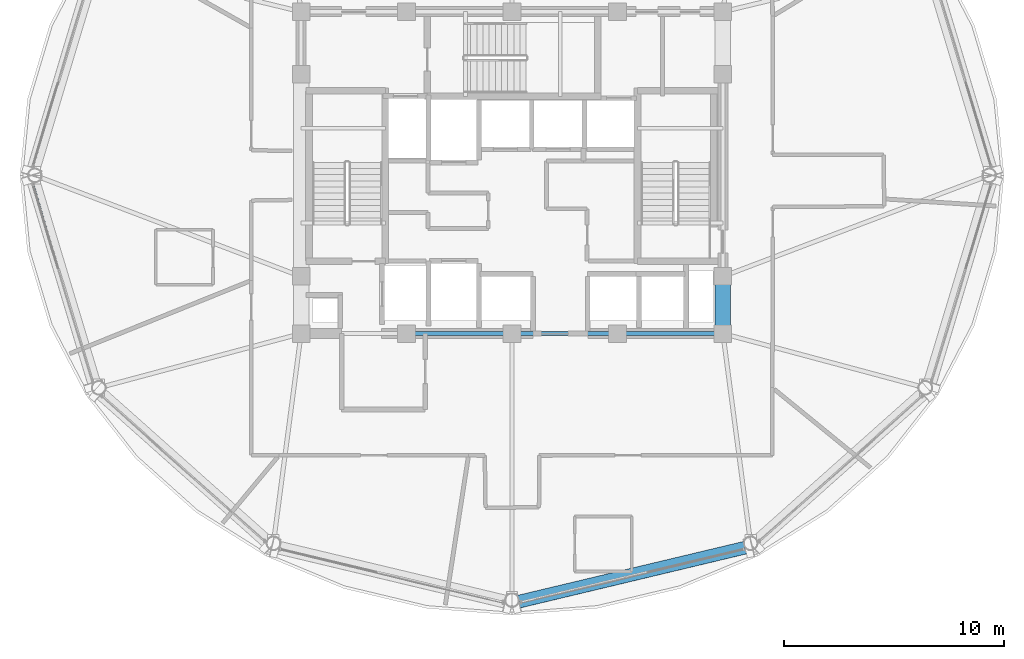
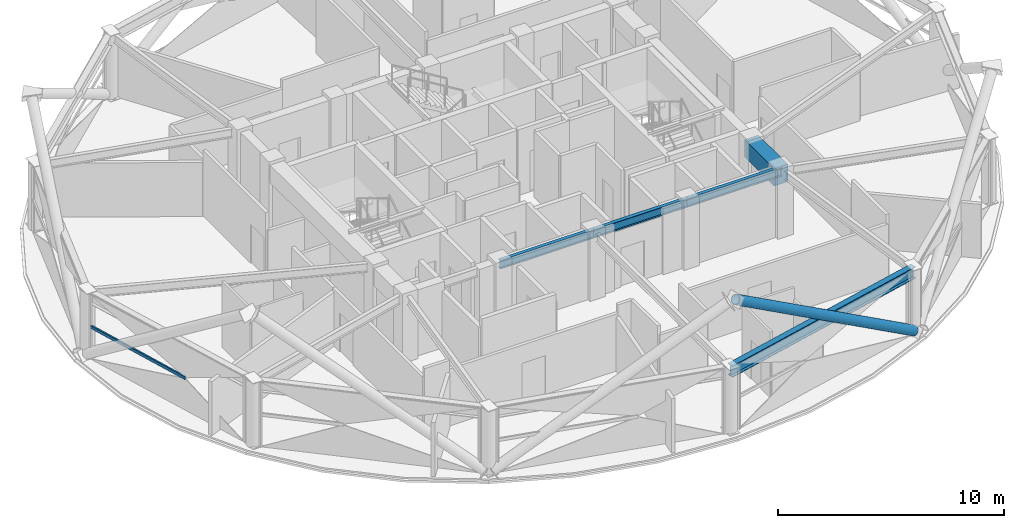
# One storey, part 6 of 28: 5 beams, 2 members, 1 element without a shape of its own.
"""IFC4 building model written with IfcOpenShell, lengths in metres."""

import ifcopenshell
import ifcopenshell.guid

model = None  # the IFC model being written
_history = None  # IfcOwnerHistory: only IFC2X3 demands one
_inside = {}  # id of a spatial element -> (the spatial element, [elements in it])
_under = {}  # id of a project, library or spatial element -> (it, [spatial elements below it])
_declared = {}  # id of a project -> (the project, [libraries it declares])
_typed = {}  # id of a type object -> (the type object, [elements of that type])
_made_of = {}  # id of a material, layer set ... -> (it, [elements and type objects made of it])


def new_model(schema):
    """Start an empty IFC model of exactly this schema.

    Asked for "IFC4X3", IfcOpenShell would pick the latest addendum, in which some entities
    have other attributes; the version numbers below select the first issue.
    IFC2X3 requires an IfcOwnerHistory on every rooted entity: one is made here for all.
    """
    global model, _history
    if schema == "IFC4X3":
        model = ifcopenshell.file(schema_version=(4, 3, 0, 0))
    else:
        model = ifcopenshell.file(schema=schema)
    _inside.clear()
    _under.clear()
    _declared.clear()
    _typed.clear()
    _made_of.clear()
    _history = None
    if model.schema == "IFC2X3":
        org = make("IfcOrganization", Name="unknown")
        user = make(
            "IfcPersonAndOrganization",
            ThePerson=make("IfcPerson", FamilyName="unknown"),
            TheOrganization=org,
        )
        app = make(
            "IfcApplication",
            ApplicationDeveloper=org,
            Version="unknown",
            ApplicationFullName="unknown",
            ApplicationIdentifier="unknown",
        )
        _history = make(
            "IfcOwnerHistory",
            OwningUser=user,
            OwningApplication=app,
            ChangeAction="ADDED",
            CreationDate=0,
        )
    return model


def make(cls, **values):
    """One entity of the class cls with the attributes given. An attribute that is None is left unset."""
    return model.create_entity(
        cls, **{name: value for name, value in values.items() if value is not None}
    )


def rooted(cls, **values):
    """An entity with a GlobalId (a new one), such as an element, a storey or a relation."""
    return make(cls, GlobalId=ifcopenshell.guid.new(), OwnerHistory=_history, **values)


def si_unit(unit_type, name, prefix=None):
    """IfcSIUnit, for example si_unit("LENGTHUNIT", "METRE", prefix="MILLI")."""
    return make("IfcSIUnit", UnitType=unit_type, Prefix=prefix, Name=name)


def assignment(units):
    """IfcUnitAssignment: the units of a project."""
    return None if units is None else make("IfcUnitAssignment", Units=units)


def point(xyz):
    """IfcCartesianPoint."""
    return None if xyz is None else make("IfcCartesianPoint", Coordinates=xyz)


def direction(xyz):
    """IfcDirection."""
    return None if xyz is None else make("IfcDirection", DirectionRatios=xyz)


def frame(location, z_axis=None, x_axis=None):
    """IfcAxis2Placement3D, a coordinate frame: its origin and axes. An axis left out is left unset."""
    return make(
        "IfcAxis2Placement3D",
        Location=point(location),
        Axis=direction(z_axis),
        RefDirection=direction(x_axis),
    )


def frame_2d(location, x_axis=None):
    """IfcAxis2Placement2D, a coordinate frame in the plane: its origin and x axis."""
    return make(
        "IfcAxis2Placement2D", Location=point(location), RefDirection=direction(x_axis)
    )


def origin():
    """The frame at (0, 0, 0) with its axes left unset."""
    return frame((0.0, 0.0, 0.0))


def origin_2d():
    """The frame at (0, 0) in the plane with its x axis left unset."""
    return frame_2d((0.0, 0.0))


def place(relative_to, where):
    """IfcLocalPlacement: puts the frame where relative to a parent placement (None: the world)."""
    return make(
        "IfcLocalPlacement", PlacementRelTo=relative_to, RelativePlacement=where
    )


def context(
    kind, dimensions, precision=None, world=None, true_north=None, identifier=None
):
    """IfcGeometricRepresentationContext, for example the 3D "Model" context."""
    return make(
        "IfcGeometricRepresentationContext",
        ContextIdentifier=identifier,
        ContextType=kind,
        CoordinateSpaceDimension=dimensions,
        Precision=precision,
        WorldCoordinateSystem=world,
        TrueNorth=true_north,
    )


def subcontext(parent, identifier, kind, view, scale=None):
    """IfcGeometricRepresentationSubContext, for example "Body" below "Model"."""
    return make(
        "IfcGeometricRepresentationSubContext",
        ContextIdentifier=identifier,
        ContextType=kind,
        ParentContext=parent,
        TargetScale=scale,
        TargetView=view,
    )


def project(units=None, contexts=None):
    """IfcProject with its units and contexts."""
    return rooted(
        "IfcProject",
        Name="project",
        RepresentationContexts=contexts,
        UnitsInContext=assignment(units),
    )


def spatial(cls, under=None, at=None, **own):
    """A site, building, storey or space (cls), placed at a placement, below another one or the project."""
    s = rooted(cls, ObjectPlacement=at, **own)
    if under is not None:
        _under.setdefault(under.id(), (under, []))[1].append(s)
    return s


def profile(cls, at=None, kind="AREA", **sizes):
    """A parametric profile (cls). Its sizes go by their IFC names, for example OverallWidth=200.0."""
    return make(cls, ProfileType=kind, Position=at, **sizes)


def rectangle(**sizes):
    """IfcRectangleProfileDef."""
    return profile("IfcRectangleProfileDef", **sizes)


def hollow_rectangle(**sizes):
    """IfcRectangleHollowProfileDef."""
    return profile("IfcRectangleHollowProfileDef", **sizes)


def hollow_circle(**sizes):
    """IfcCircleHollowProfileDef."""
    return profile("IfcCircleHollowProfileDef", **sizes)


def i_section(**sizes):
    """IfcIShapeProfileDef."""
    return profile("IfcIShapeProfileDef", **sizes)


def extrude(swept, where, along, depth):
    """IfcExtrudedAreaSolid: the profile swept, set in the frame where, extruded along a direction by depth."""
    return make(
        "IfcExtrudedAreaSolid",
        SweptArea=swept,
        Position=where,
        ExtrudedDirection=direction(along),
        Depth=depth,
    )


def shape(context_of_items, identifier, shape_type, items):
    """IfcShapeRepresentation: the items that make up one representation, for example the "Body"."""
    return make(
        "IfcShapeRepresentation",
        ContextOfItems=context_of_items,
        RepresentationIdentifier=identifier,
        RepresentationType=shape_type,
        Items=items,
    )


def material(Name=None, Category=None):
    """IfcMaterial."""
    return make("IfcMaterial", Name=Name, Category=Category)


def layer(
    of_material, thickness, ventilated=None, Name=None, Category=None, Priority=None
):
    """IfcMaterialLayer: one layer of a wall or slab, of a material (None: an air gap)."""
    return make(
        "IfcMaterialLayer",
        Material=of_material,
        LayerThickness=thickness,
        IsVentilated=ventilated,
        Name=Name,
        Category=Category,
        Priority=Priority,
    )


def layer_set(layers, Name=None):
    """IfcMaterialLayerSet."""
    return make("IfcMaterialLayerSet", MaterialLayers=layers, LayerSetName=Name)


def material_profile(
    of_material, cross_section, Name=None, Category=None, Priority=None
):
    """IfcMaterialProfile: a cross section and its material."""
    return make(
        "IfcMaterialProfile",
        Name=Name,
        Material=of_material,
        Profile=cross_section,
        Priority=Priority,
        Category=Category,
    )


def profile_set(profiles, Name=None, composite=None):
    """IfcMaterialProfileSet."""
    return make(
        "IfcMaterialProfileSet",
        Name=Name,
        MaterialProfiles=profiles,
        CompositeProfile=composite,
    )


def made_of(thing, what):
    """Note that an element or type object is made of a material, layer set ...; save() writes the relation."""
    if what is not None:
        _made_of.setdefault(what.id(), (what, []))[1].append(thing)
    return thing


def type_object(cls, material=None, **own):
    """A type object (cls), such as IfcWallType, which elements share."""
    return made_of(rooted(cls, **own), material)


def element(
    cls,
    number,
    at=None,
    inside=None,
    cuts=None,
    type_object=None,
    material=None,
    context=None,
    identifier="Body",
    shape_type=None,
    held_by="IfcProductDefinitionShape",
    body=None,
    shapes=None,
    **own,
):
    """One element of the class cls, such as IfcWall. Its Tag is "e" and its number.

    at: its placement. inside: the storey or other place that contains it. cuts: it is an
    opening in that element (IfcRelVoidsElement). A single representation is given by context,
    identifier, shape_type and body (its items); several are given by shapes. held_by: the class
    of the entity that holds the representations. save() writes the other relations.
    """
    e = rooted(cls, Tag="e%d" % number, ObjectPlacement=at, **own)
    if body is not None:
        shapes = [shape(context, identifier, shape_type, body)]
    if shapes is not None:
        e.Representation = make(held_by, Representations=shapes)
    if inside is not None:
        _inside.setdefault(inside.id(), (inside, []))[1].append(e)
    if cuts is not None:
        rooted(
            "IfcRelVoidsElement", RelatingBuildingElement=cuts, RelatedOpeningElement=e
        )
    if type_object is not None:
        _typed.setdefault(type_object.id(), (type_object, []))[1].append(e)
    return made_of(e, material)


def aggregate(whole, parts):
    """IfcRelAggregates: a whole, such as a stair, and the parts it consists of."""
    return rooted("IfcRelAggregates", RelatingObject=whole, RelatedObjects=parts)


def save(model, path):
    """Write the relations noted so far, then the file.

    IfcRelAggregates (storeys below a building ...), IfcRelContainedInSpatialStructure (elements
    in a storey), IfcRelDefinesByType, IfcRelAssociatesMaterial and IfcRelDeclares: one each for
    every whole, place, type object, material and project.
    """
    for whole, parts in _under.values():
        aggregate(whole, parts)
    for where, things in _inside.values():
        rooted(
            "IfcRelContainedInSpatialStructure",
            RelatedElements=things,
            RelatingStructure=where,
        )
    for kind, things in _typed.values():
        rooted("IfcRelDefinesByType", RelatedObjects=things, RelatingType=kind)
    for what, things in _made_of.values():
        rooted("IfcRelAssociatesMaterial", RelatedObjects=things, RelatingMaterial=what)
    for by, libraries in _declared.values():
        rooted("IfcRelDeclares", RelatingContext=by, RelatedDefinitions=libraries)
    model.write(path)


model = new_model("IFC4")

# Units and contexts
model_context = context("Model", 3, precision=1e-05, world=origin(), true_north=direction((0.0, 1.0)))
body_context = subcontext(model_context, "Body", "Model", "MODEL_VIEW")
ifc_project = project(units=[si_unit("LENGTHUNIT", "METRE"), si_unit("AREAUNIT", "SQUARE_METRE"), si_unit("VOLUMEUNIT", "CUBIC_METRE"), si_unit("PLANEANGLEUNIT", "RADIAN"), si_unit("MASSUNIT", "GRAM", prefix="KILO")], contexts=[model_context])

# Site, building, storey
site_placement = place(None, origin())
site = spatial("IfcSite", under=ifc_project, at=site_placement, CompositionType="ELEMENT")
building_placement = place(site_placement, origin())
building = spatial("IfcBuilding", under=site, at=building_placement, Name="Vantalir Tower", CompositionType="ELEMENT")
storey_placement = place(building_placement, frame((0.0, 0.0, 242.39990234375)))
storey = spatial("IfcBuildingStorey", under=building, at=storey_placement, Name="L61", CompositionType="ELEMENT", Elevation=242.39990234375)

# Beams
ifc_material_1 = material(Name="Concrete C60/75", Category="concrete")
ifc_material_profile_1 = material_profile(ifc_material_1, rectangle(XDim=0.699951171875, YDim=0.949951171875, at=origin_2d()), Name="Concrete C60/75")
ifc_profile_set_1 = profile_set([ifc_material_profile_1], Name="Concrete C60/75")
beam_type_1 = type_object("IfcBeamType", Name="BM-CB-700x950", PredefinedType="USERDEFINED", material=ifc_profile_set_1)
beam_1_placement = place(storey_placement, frame((41.10009765625, 17.800048828125, 3.09521484375), z_axis=(0.0, 1.0, 0.0), x_axis=(-1.0, 0.0, 0.0)))
element("IfcBeam", 1, at=beam_1_placement, inside=storey, type_object=beam_type_1, Name="L61 Core Coupling Girder 05", ObjectType="GIRDER", PredefinedType="USERDEFINED", context=body_context, shape_type="SweptSolid", body=[
    extrude(rectangle(XDim=0.699951171875, YDim=0.949951171875, at=origin_2d()), origin(), (0.0, 0.0, 1.0), 2.599853515625),
])
ifc_material_2 = material(Name="Steel S355", Category="steel")
ifc_material_profile_2 = material_profile(ifc_material_2, i_section(OverallWidth=0.19189453125, OverallDepth=0.462890625, WebThickness=0.010498046875, FlangeThickness=0.017578125, at=origin_2d()), Name="Steel S355")
ifc_profile_set_2 = profile_set([ifc_material_profile_2], Name="Steel S355")
beam_type_2 = type_object("IfcBeamType", Name="BM-RB-457x191", PredefinedType="BEAM", material=ifc_profile_set_2)
for number, where, z_axis, x_axis, name in (
    (2, (26.699951171875, 17.800048828125, 3.338134765625), (1.0, 0.0, 0.0), (0.0, 1.0, 0.0), "L61 Core Coupling Girder 02"),
    (3, (31.5, 17.800048828125, 3.338134765625), (1.0, 0.0, 0.0), (0.0, 1.0, 0.0), "L61 Core Coupling Girder 03"),
    (4, (36.300048828125, 17.800048828125, 3.338134765625), (1.0, 0.0, 0.0), (0.0, 1.0, 0.0), "L61 Core Coupling Girder 04"),
):
    element("IfcBeam", number, at=place(storey_placement, frame(where, z_axis=z_axis, x_axis=x_axis)), inside=storey, type_object=beam_type_2, Name=name, PredefinedType="BEAM", context=body_context, shape_type="SweptSolid", body=[
        extrude(i_section(OverallWidth=0.19189453125, OverallDepth=0.462890625, WebThickness=0.010498046875, FlangeThickness=0.017578125, at=origin_2d()), origin(), (0.0, 0.0, 1.0), 4.800048828125),
    ])
ifc_material_3 = material(Name="Steel S460", Category="steel")
ifc_material_profile_3 = material_profile(ifc_material_3, i_section(OverallWidth=0.306884765625, OverallDepth=0.6201171875, WebThickness=0.01416015625, FlangeThickness=0.023681640625, at=origin_2d()), Name="Steel S460")
ifc_profile_set_3 = profile_set([ifc_material_profile_3], Name="Steel S460")
beam_type_3 = type_object("IfcBeamType", Name="BM-RG-610x305", PredefinedType="USERDEFINED", material=ifc_profile_set_3)
beam_2_placement = place(storey_placement, frame((31.5, 5.6669921875, 3.260009765625), z_axis=(0.97271250926, 0.23201373737, 0.0), x_axis=(-0.23201373737, 0.97271250926, 0.0)))
element("IfcBeam", 5, at=beam_2_placement, inside=storey, type_object=beam_type_3, Name="L61 Circumferential Ring Girder 10", ObjectType="GIRDER", PredefinedType="USERDEFINED", context=body_context, shape_type="SweptSolid", body=[
    extrude(i_section(OverallWidth=0.306884765625, OverallDepth=0.6201171875, WebThickness=0.01416015625, FlangeThickness=0.023681640625, at=origin_2d()), origin(), (0.0, 0.0, 1.0), 11.16357421875),
])

# Curtain wall, member
ifc_material_4 = material(Name="Champagne-silver PVDF aluminium and double-silver Low-E glass", Category="aluminium")
ifc_layer = layer(ifc_material_4, 0.2099609375)
ifc_layer_set = layer_set([ifc_layer], Name="Champagne-silver PVDF aluminium and double-silver Low-E glass")
curtain_wall_type = type_object("IfcCurtainWallType", Name="CW-DIAMOND-Z3", PredefinedType="USERDEFINED", material=ifc_layer_set)
curtain_wall_placement = place(storey_placement, origin())
curtain_wall = element("IfcCurtainWall", 6, at=curtain_wall_placement, inside=storey, type_object=curtain_wall_type, Name="L61 Quilted Pyramid-Diamond Curtain Wall S07", ObjectType="UNITISED CURTAIN WALL", PredefinedType="USERDEFINED")
ifc_material_5 = material(Name="Champagne-silver PVDF aluminium 6063-T6", Category="aluminium")
ifc_material_profile_4 = material_profile(ifc_material_5, hollow_rectangle(XDim=0.074951171875, YDim=0.159912109375, WallThickness=0.00390625, at=origin_2d()), Name="Champagne-silver PVDF aluminium 6063-T6")
ifc_profile_set_4 = profile_set([ifc_material_profile_4], Name="Champagne-silver PVDF aluminium 6063-T6")
member_type_1 = type_object("IfcMemberType", Name="CWT-160x75", PredefinedType="USERDEFINED", material=ifc_profile_set_4)
member_1_placement = place(storey_placement, frame((9.7099609375, 24.60693359375, 1.78515625), z_axis=(0.28395815918, -0.958836672137, 0.0), x_axis=(0.958836672137, 0.28395815918, 0.0)))
member_1 = element("IfcMember", 7, at=member_1_placement, type_object=member_type_1, Name="CW-L61-S07 Pyramid Fold Ridge Transom", ObjectType="TRANSOM", PredefinedType="USERDEFINED", context=body_context, shape_type="SweptSolid", body=[
    extrude(hollow_rectangle(XDim=0.074951171875, YDim=0.159912109375, WallThickness=0.00390625, at=origin_2d()), origin(), (0.0, 0.0, 1.0), 5.811279296875),
])
aggregate(curtain_wall, [member_1])

# Member
ifc_material_profile_5 = material_profile(ifc_material_3, hollow_circle(Radius=0.25, WallThickness=0.031982421875, at=origin_2d()), Name="Steel S460")
ifc_profile_set_5 = profile_set([ifc_material_profile_5], Name="Steel S460")
member_type_2 = type_object("IfcMemberType", Name="MEM-DB-500x32", PredefinedType="BRACE", material=ifc_profile_set_5)
member_2_placement = place(storey_placement, frame((42.27294921875, 8.050048828125, 0.197998046875), z_axis=(-0.820779852359, -0.196052589835, 0.536548055612), x_axis=(0.232325647217, -0.972638058913, 0.0)))
element("IfcMember", 8, at=member_2_placement, inside=storey, type_object=member_type_2, Name="L61 Perimeter S460 Diagrid Brace R31R", PredefinedType="BRACE", context=body_context, shape_type="SweptSolid", body=[
    extrude(hollow_circle(Radius=0.25, WallThickness=0.031982421875, at=origin_2d()), origin(), (0.0, 0.0, 1.0), 12.90478515625),
])

save(model, "model.ifc")
